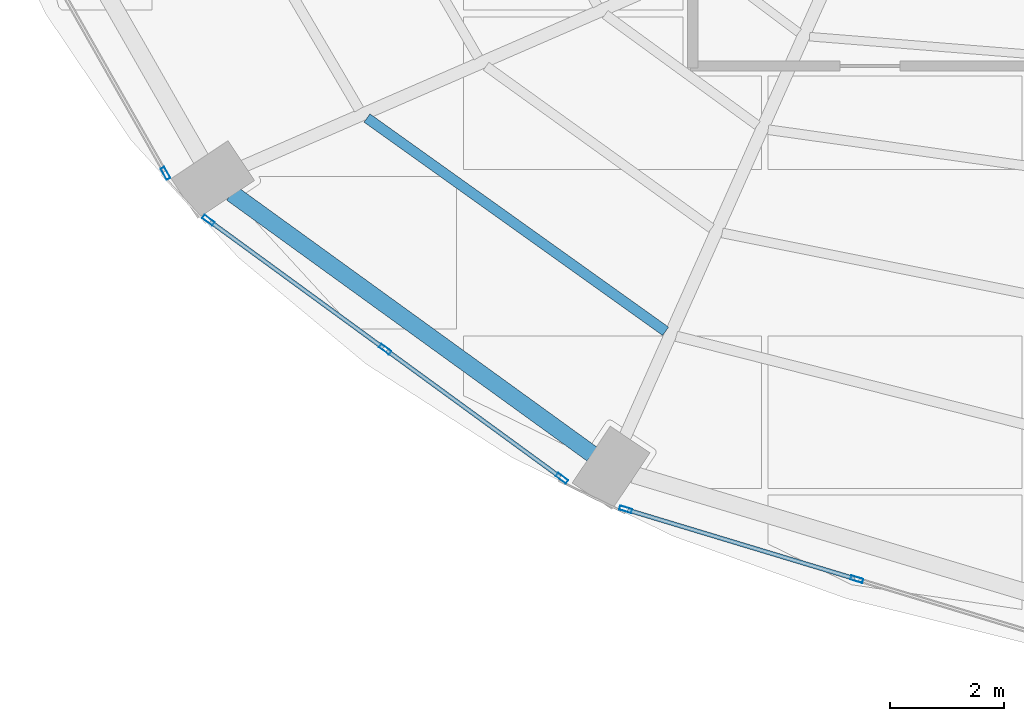
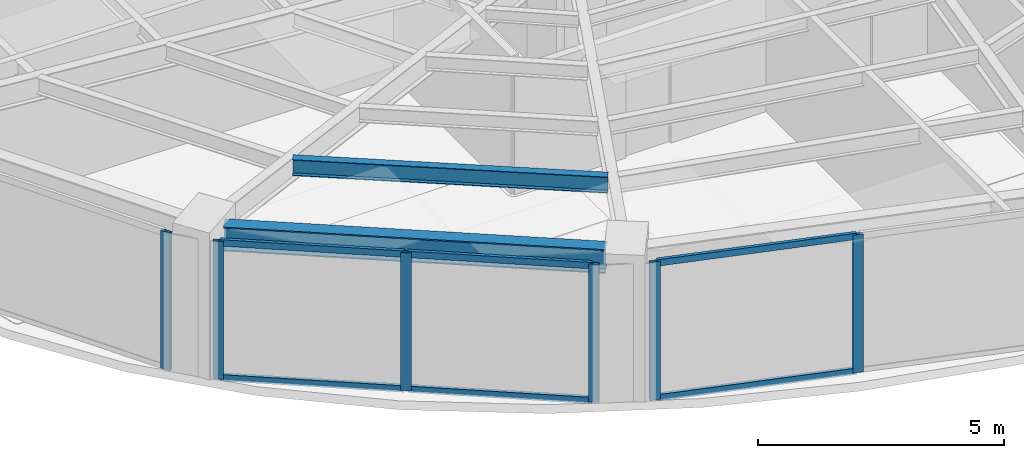
# One storey, part 2 of 23: 12 members, 2 beams, 3 elements without a shape of their own.
"""IFC4 building model written with IfcOpenShell, lengths in metres."""

from ifc_helpers import new_model, si_unit, direction, frame, origin, origin_2d, place, context, subcontext, project, spatial, hollow_rectangle, i_section, extrude, material, layer, layer_set, material_profile, profile_set, type_object, element, aggregate, save


model = new_model("IFC4")

# Units and contexts
model_context = context("Model", 3, precision=1e-05, world=origin(), true_north=direction((0.0, 1.0)))
body_context = subcontext(model_context, "Body", "Model", "MODEL_VIEW")
ifc_project = project(units=[si_unit("LENGTHUNIT", "METRE"), si_unit("AREAUNIT", "SQUARE_METRE"), si_unit("VOLUMEUNIT", "CUBIC_METRE"), si_unit("PLANEANGLEUNIT", "RADIAN"), si_unit("MASSUNIT", "GRAM", prefix="KILO")], contexts=[model_context])

# Site, building, storey
site_placement = place(None, origin())
site = spatial("IfcSite", under=ifc_project, at=site_placement, CompositionType="ELEMENT")
building_placement = place(site_placement, origin())
building = spatial("IfcBuilding", under=site, at=building_placement, Name="Lazwardi Medical Tower", CompositionType="ELEMENT")
storey_placement = place(building_placement, frame((0.0, 0.0, 89.0400390625)))
storey = spatial("IfcBuildingStorey", under=building, at=storey_placement, Name="L22", CompositionType="ELEMENT", Elevation=89.0400390625)

# Beams
ifc_material_1 = material(Name="Steel S355", Category="steel")
ifc_material_profile_1 = material_profile(ifc_material_1, i_section(OverallWidth=0.300048828125, OverallDepth=0.60009765625, WebThickness=0.015380859375, FlangeThickness=0.030029296875, at=origin_2d()), Name="HEB 600")
ifc_profile_set_1 = profile_set([ifc_material_profile_1], Name="Steel S355")
beam_type_1 = type_object("IfcBeamType", Name="BM-RB-Z2", PredefinedType="BEAM", material=ifc_profile_set_1)
beam_1_placement = place(storey_placement, frame((15.25439453125, 15.164794921875, 3.1279296875), z_axis=(0.81005674773, -0.586351486275, 0.0), x_axis=(0.586351486275, 0.81005674773, 0.0)))
element("IfcBeam", 1, at=beam_1_placement, inside=storey, type_object=beam_type_1, Name="Ring beam RB-03 B14 L22", PredefinedType="BEAM", context=body_context, shape_type="SweptSolid", body=[
    extrude(i_section(OverallWidth=0.300048828125, OverallDepth=0.60009765625, WebThickness=0.015380859375, FlangeThickness=0.030029296875, at=origin_2d()), origin(), (0.0, 0.0, 1.0), 7.81396484375),
])
ifc_material_profile_2 = material_profile(ifc_material_1, i_section(OverallWidth=0.179931640625, OverallDepth=0.39990234375, WebThickness=0.008544921875, FlangeThickness=0.013427734375, at=origin_2d()), Name="IPE 400")
ifc_profile_set_2 = profile_set([ifc_material_profile_2], Name="Steel S355")
beam_type_2 = type_object("IfcBeamType", Name="BM-SJ-01", PredefinedType="JOIST", material=ifc_profile_set_2)
beam_2_placement = place(storey_placement, frame((17.630615234375, 16.485595703125, 3.22802734375), z_axis=(0.813748834317, -0.581216684763, 0.0), x_axis=(0.581216684763, 0.813748834317, 0.0)))
element("IfcBeam", 2, at=beam_2_placement, inside=storey, type_object=beam_type_2, Name="Secondary joist SJ-01 R1 B14 L22", PredefinedType="JOIST", context=body_context, shape_type="SweptSolid", body=[
    extrude(i_section(OverallWidth=0.179931640625, OverallDepth=0.39990234375, WebThickness=0.008544921875, FlangeThickness=0.013427734375, at=origin_2d()), origin(), (0.0, 0.0, 1.0), 6.4423828125),
])

# Curtain wall, member
ifc_material_2 = material(Name="Anodised bronze aluminium and solar control glazing", Category="aluminium")
ifc_layer = layer(ifc_material_2, 0.195068359375)
ifc_layer_set = layer_set([ifc_layer], Name="Anodised bronze aluminium and solar control glazing")
curtain_wall_type = type_object("IfcCurtainWallType", Name="CW-SYS-03", PredefinedType="NOTDEFINED", material=ifc_layer_set)
curtain_wall_1_placement = place(storey_placement, origin())
curtain_wall_1 = element("IfcCurtainWall", 3, at=curtain_wall_1_placement, inside=storey, type_object=curtain_wall_type, Name="L22 Unitised bronze curtain wall CW-03", PredefinedType="NOTDEFINED")
ifc_material_3 = material(Name="Anodised bronze aluminium", Category="aluminium")
ifc_material_profile_3 = material_profile(ifc_material_3, hollow_rectangle(XDim=0.074951171875, YDim=0.219970703125, WallThickness=0.00390625, at=origin_2d()), Name="ALU-MULLION 220x75x4")
ifc_profile_set_3 = profile_set([ifc_material_profile_3], Name="Anodised bronze aluminium")
member_type_1 = type_object("IfcMemberType", Name="CW-MUL-01", PredefinedType="MULLION", material=ifc_profile_set_3)
member_1_placement = place(storey_placement, frame((14.0927734375, 15.51416015625, 0.0), z_axis=(0.0, 0.0, 1.0), x_axis=(0.869687265712, 0.493603140041, 0.0)))
member_1 = element("IfcMember", 4, at=member_1_placement, type_object=member_type_1, Name="CW-03 mullion 2", PredefinedType="MULLION", context=body_context, shape_type="SweptSolid", body=[
    extrude(hollow_rectangle(XDim=0.074951171875, YDim=0.219970703125, WallThickness=0.00390625, at=origin_2d()), origin(), (0.0, 0.0, 1.0), 3.427978515625),
])
aggregate(curtain_wall_1, [member_1])

# Curtain wall, members
curtain_wall_2_placement = place(storey_placement, origin())
curtain_wall_2 = element("IfcCurtainWall", 5, at=curtain_wall_2_placement, inside=storey, type_object=curtain_wall_type, Name="L22 Unitised bronze curtain wall CW-03", PredefinedType="NOTDEFINED")
member_2_placement = place(storey_placement, frame((14.844970703125, 14.691162109375, 0.0), z_axis=(0.0, 0.0, 1.0), x_axis=(0.589530882802, 0.807745837639, 0.0)))
member_2 = element("IfcMember", 6, at=member_2_placement, type_object=member_type_1, Name="CW-03 mullion 1", PredefinedType="MULLION", context=body_context, shape_type="SweptSolid", body=[
    extrude(hollow_rectangle(XDim=0.074951171875, YDim=0.219970703125, WallThickness=0.00390625, at=origin_2d()), origin(), (0.0, 0.0, 1.0), 3.427978515625),
])
member_3_placement = place(storey_placement, frame((17.948974609375, 12.42578125, 0.0), z_axis=(0.0, 0.0, 1.0), x_axis=(0.589530882802, 0.807745837639, 0.0)))
member_3 = element("IfcMember", 7, at=member_3_placement, type_object=member_type_1, Name="CW-03 mullion 2", PredefinedType="MULLION", context=body_context, shape_type="SweptSolid", body=[
    extrude(hollow_rectangle(XDim=0.074951171875, YDim=0.219970703125, WallThickness=0.00390625, at=origin_2d()), origin(), (0.0, 0.0, 1.0), 3.427978515625),
])
member_4_placement = place(storey_placement, frame((21.052734375, 10.160400390625, 0.0), z_axis=(0.0, 0.0, 1.0), x_axis=(0.589530882802, 0.807745837639, 0.0)))
member_4 = element("IfcMember", 8, at=member_4_placement, type_object=member_type_1, Name="CW-03 mullion 3", PredefinedType="MULLION", context=body_context, shape_type="SweptSolid", body=[
    extrude(hollow_rectangle(XDim=0.074951171875, YDim=0.219970703125, WallThickness=0.00390625, at=origin_2d()), origin(), (0.0, 0.0, 1.0), 3.427978515625),
])

curtain_wall_3_placement = place(storey_placement, origin())
curtain_wall_3 = element("IfcCurtainWall", 9, at=curtain_wall_3_placement, inside=storey, type_object=curtain_wall_type, Name="L22 Unitised bronze curtain wall CW-03", PredefinedType="NOTDEFINED")
member_5_placement = place(storey_placement, frame((22.171630859375, 9.614013671875, 0.0), z_axis=(0.0, 0.0, 1.0), x_axis=(0.28937381157, 0.957216170558, 0.0)))
member_5 = element("IfcMember", 10, at=member_5_placement, type_object=member_type_1, Name="CW-03 mullion 1", PredefinedType="MULLION", context=body_context, shape_type="SweptSolid", body=[
    extrude(hollow_rectangle(XDim=0.074951171875, YDim=0.219970703125, WallThickness=0.00390625, at=origin_2d()), origin(), (0.0, 0.0, 1.0), 3.427978515625),
])
member_6_placement = place(storey_placement, frame((26.230712890625, 8.386962890625, 0.0), z_axis=(0.0, 0.0, 1.0), x_axis=(0.28937381157, 0.957216170558, 0.0)))
member_6 = element("IfcMember", 11, at=member_6_placement, type_object=member_type_1, Name="CW-03 mullion 2", PredefinedType="MULLION", context=body_context, shape_type="SweptSolid", body=[
    extrude(hollow_rectangle(XDim=0.074951171875, YDim=0.219970703125, WallThickness=0.00390625, at=origin_2d()), origin(), (0.0, 0.0, 1.0), 3.427978515625),
])

# Member
ifc_material_profile_4 = material_profile(ifc_material_3, hollow_rectangle(XDim=0.074951171875, YDim=0.159912109375, WallThickness=0.00390625, at=origin_2d()), Name="ALU-TRANSOM 160x75x4")
ifc_profile_set_4 = profile_set([ifc_material_profile_4], Name="Anodised bronze aluminium")
member_type_2 = type_object("IfcMemberType", Name="CW-TRN-01", PredefinedType="USERDEFINED", material=ifc_profile_set_4)
member_7_placement = place(storey_placement, frame((14.87548828125, 14.6689453125, 0.037353515625), z_axis=(0.807731734271, -0.589550206049, 0.0), x_axis=(0.589550206049, 0.807731734271, 0.0)))
member_7 = element("IfcMember", 12, at=member_7_placement, type_object=member_type_2, Name="CW-03 transom 1.1", ObjectType="TRANSOM", PredefinedType="USERDEFINED", context=body_context, shape_type="SweptSolid", body=[
    extrude(hollow_rectangle(XDim=0.074951171875, YDim=0.159912109375, WallThickness=0.00390625, at=origin_2d()), origin(), (0.0, 0.0, 1.0), 3.767578125),
])

member_8_placement = place(storey_placement, frame((14.87548828125, 14.6689453125, 3.390380859375), z_axis=(0.807731734271, -0.589550206049, 0.0), x_axis=(0.589550206049, 0.807731734271, 0.0)))
member_8 = element("IfcMember", 13, at=member_8_placement, type_object=member_type_2, Name="CW-03 transom 1.2", ObjectType="TRANSOM", PredefinedType="USERDEFINED", context=body_context, shape_type="SweptSolid", body=[
    extrude(hollow_rectangle(XDim=0.074951171875, YDim=0.159912109375, WallThickness=0.00390625, at=origin_2d()), origin(), (0.0, 0.0, 1.0), 3.767578125),
])

member_9_placement = place(storey_placement, frame((17.979248046875, 12.403564453125, 0.037353515625), z_axis=(0.80776259199, -0.58950792614, 0.0), x_axis=(0.58950792614, 0.80776259199, 0.0)))
member_9 = element("IfcMember", 14, at=member_9_placement, type_object=member_type_2, Name="CW-03 transom 2.1", ObjectType="TRANSOM", PredefinedType="USERDEFINED", context=body_context, shape_type="SweptSolid", body=[
    extrude(hollow_rectangle(XDim=0.074951171875, YDim=0.159912109375, WallThickness=0.00390625, at=origin_2d()), origin(), (0.0, 0.0, 1.0), 3.767578125),
])

member_10_placement = place(storey_placement, frame((17.979248046875, 12.403564453125, 3.390380859375), z_axis=(0.80776259199, -0.58950792614, 0.0), x_axis=(0.58950792614, 0.80776259199, 0.0)))
member_10 = element("IfcMember", 15, at=member_10_placement, type_object=member_type_2, Name="CW-03 transom 2.2", ObjectType="TRANSOM", PredefinedType="USERDEFINED", context=body_context, shape_type="SweptSolid", body=[
    extrude(hollow_rectangle(XDim=0.074951171875, YDim=0.159912109375, WallThickness=0.00390625, at=origin_2d()), origin(), (0.0, 0.0, 1.0), 3.767578125),
])

aggregate(curtain_wall_2, [member_2, member_3, member_4, member_7, member_8, member_9, member_10])

member_11_placement = place(storey_placement, frame((22.20751953125, 9.603271484375, 0.037353515625), z_axis=(0.957204630929, -0.289411980623, 0.0), x_axis=(0.289411980623, 0.957204630929, 0.0)))
member_11 = element("IfcMember", 16, at=member_11_placement, type_object=member_type_2, Name="CW-03 transom 1.1", ObjectType="TRANSOM", PredefinedType="USERDEFINED", context=body_context, shape_type="SweptSolid", body=[
    extrude(hollow_rectangle(XDim=0.074951171875, YDim=0.159912109375, WallThickness=0.00390625, at=origin_2d()), origin(), (0.0, 0.0, 1.0), 4.16552734375),
])

member_12_placement = place(storey_placement, frame((22.20751953125, 9.603271484375, 3.390380859375), z_axis=(0.957204630929, -0.289411980623, 0.0), x_axis=(0.289411980623, 0.957204630929, 0.0)))
member_12 = element("IfcMember", 17, at=member_12_placement, type_object=member_type_2, Name="CW-03 transom 1.2", ObjectType="TRANSOM", PredefinedType="USERDEFINED", context=body_context, shape_type="SweptSolid", body=[
    extrude(hollow_rectangle(XDim=0.074951171875, YDim=0.159912109375, WallThickness=0.00390625, at=origin_2d()), origin(), (0.0, 0.0, 1.0), 4.16552734375),
])

aggregate(curtain_wall_3, [member_5, member_6, member_11, member_12])

save(model, "model.ifc")
